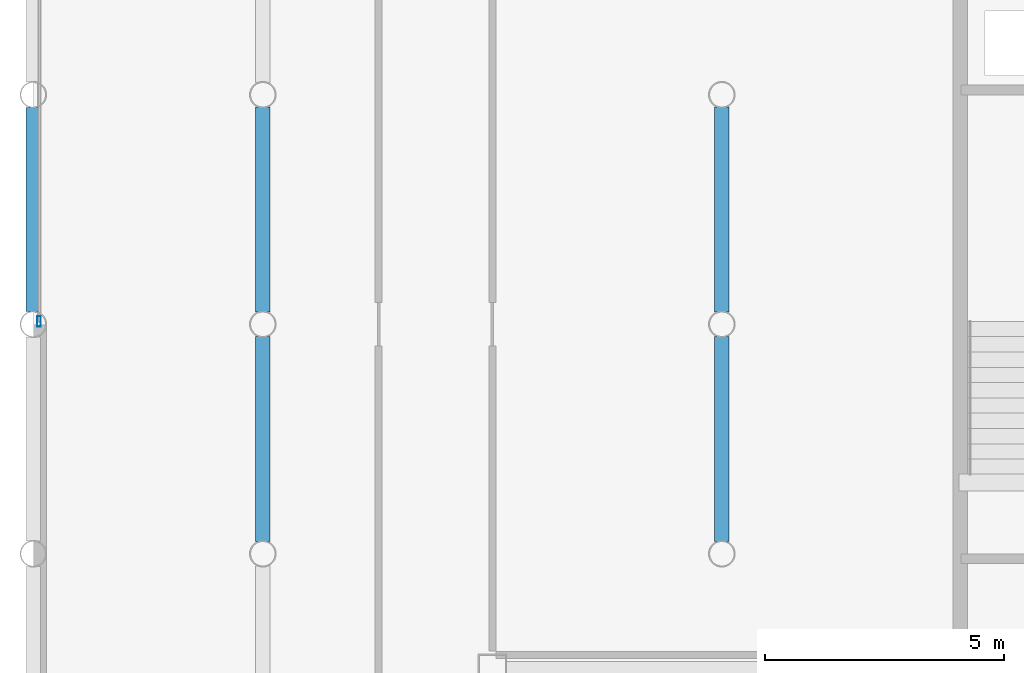
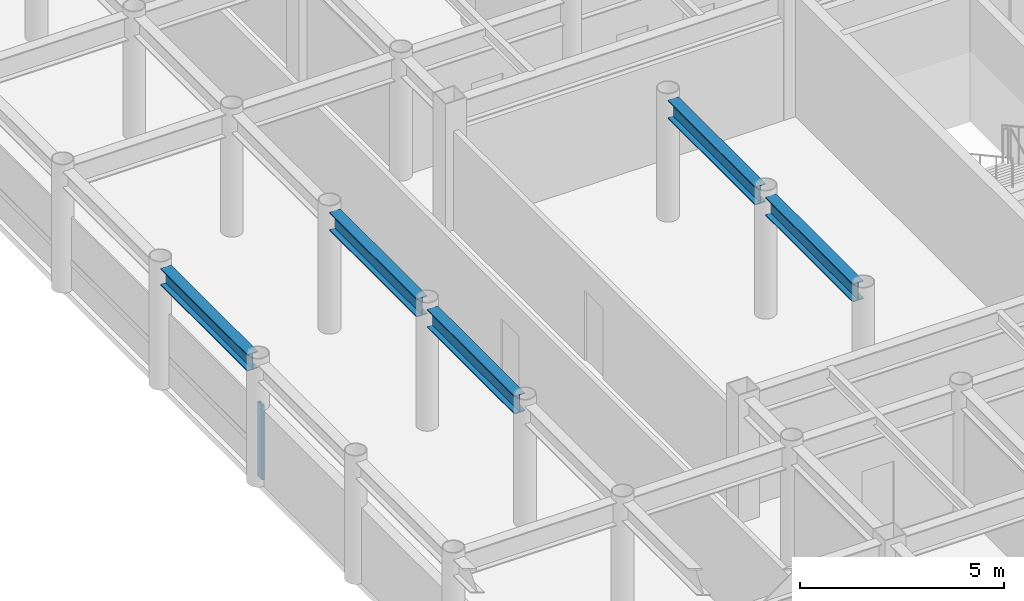
# One storey, part 6 of 22: 5 beams, 1 member, 1 element without a shape of its own.
"""IFC4 building model written with IfcOpenShell, lengths in metres."""

from ifc_helpers import new_model, si_unit, direction, frame, origin, origin_2d, place, context, subcontext, project, spatial, hollow_rectangle, i_section, extrude, material, layer, layer_set, material_profile, profile_set, type_object, element, aggregate, save


model = new_model("IFC4")

# Units and contexts
model_context = context("Model", 3, precision=1e-05, world=origin(), true_north=direction((0.0, 1.0)))
body_context = subcontext(model_context, "Body", "Model", "MODEL_VIEW")
ifc_project = project(units=[si_unit("LENGTHUNIT", "METRE"), si_unit("AREAUNIT", "SQUARE_METRE"), si_unit("VOLUMEUNIT", "CUBIC_METRE"), si_unit("PLANEANGLEUNIT", "RADIAN"), si_unit("MASSUNIT", "GRAM", prefix="KILO")], contexts=[model_context])

# Site, building, storey
site_placement = place(None, origin())
site = spatial("IfcSite", under=ifc_project, at=site_placement, CompositionType="ELEMENT")
building_placement = place(site_placement, origin())
building = spatial("IfcBuilding", under=site, at=building_placement, Name="Kallvorn Hotel Tower", CompositionType="ELEMENT")
storey_placement = place(building_placement, frame((0.0, 0.0, 256.949951171875)))
storey = spatial("IfcBuildingStorey", under=building, at=storey_placement, Name="L64", CompositionType="ELEMENT", Elevation=256.949951171875)

# Beams
ifc_material_1 = material(Name="Structural steel S355JR", Category="steel")
ifc_material_profile_1 = material_profile(ifc_material_1, i_section(OverallWidth=0.300048828125, OverallDepth=0.5, WebThickness=0.014404296875, FlangeThickness=0.028076171875, at=origin_2d()), Name="HE 500 B")
ifc_profile_set_1 = profile_set([ifc_material_profile_1], Name="Structural steel S355JR")
beam_type_1 = type_object("IfcBeamType", Name="BM_HE500B", PredefinedType="SPANDREL", material=ifc_profile_set_1)
beam_placement = place(storey_placement, frame((-33.60009765625, 0.26953125, 3.420166015625), z_axis=(0.0, 1.0, 0.0), x_axis=(-1.0, 0.0, 0.0)))
element("IfcBeam", 1, at=beam_placement, inside=storey, type_object=beam_type_1, Name="L65 Perimeter Spandrel 177", PredefinedType="SPANDREL", context=body_context, shape_type="SweptSolid", body=[
    extrude(i_section(OverallWidth=0.300048828125, OverallDepth=0.5, WebThickness=0.014404296875, FlangeThickness=0.028076171875, at=origin_2d()), origin(), (0.0, 0.0, 1.0), 4.260986328125),
])
ifc_material_2 = material(Name="Structural steel S355JR", Category="steel")
ifc_material_profile_2 = material_profile(ifc_material_2, i_section(OverallWidth=0.300048828125, OverallDepth=0.550048828125, WebThickness=0.014892578125, FlangeThickness=0.029052734375, at=origin_2d()), Name="HE 550 B")
ifc_profile_set_2 = profile_set([ifc_material_profile_2], Name="Structural steel S355JR")
beam_type_2 = type_object("IfcBeamType", Name="BM_HE550B", PredefinedType="SPANDREL", material=ifc_profile_set_2)
for number, where, z_axis, x_axis, name in (
    (2, (-28.800048828125, -4.54541015625, 3.39501953125), (0.0, 1.0, 0.0), (-1.0, 0.0, 0.0), "L65 Primary Y-Girder 76"),
    (3, (-28.800048828125, 0.25439453125, 3.39501953125), (0.0, 1.0, 0.0), (-1.0, 0.0, 0.0), "L65 Primary Y-Girder 77"),
    (4, (-19.199951171875, -4.54541015625, 3.39501953125), (0.0, 1.0, 0.0), (-1.0, 0.0, 0.0), "L65 Primary Y-Girder 92"),
    (5, (-19.199951171875, 0.25439453125, 3.39501953125), (0.0, 1.0, 0.0), (-1.0, 0.0, 0.0), "L65 Primary Y-Girder 93"),
):
    element("IfcBeam", number, at=place(storey_placement, frame(where, z_axis=z_axis, x_axis=x_axis)), inside=storey, type_object=beam_type_2, Name=name, PredefinedType="SPANDREL", context=body_context, shape_type="SweptSolid", body=[
        extrude(i_section(OverallWidth=0.300048828125, OverallDepth=0.550048828125, WebThickness=0.014892578125, FlangeThickness=0.029052734375, at=origin_2d()), origin(), (0.0, 0.0, 1.0), 4.291015625),
    ])

# Curtain wall, member
ifc_material_3 = material(Name="Thermally broken black-anodised aluminium AA 6063-T6", Category="aluminium")
ifc_layer = layer(ifc_material_3, 0.22998046875)
ifc_layer_set = layer_set([ifc_layer], Name="CW_SYS_5_HOTEL_HIGH")
curtain_wall_type = type_object("IfcCurtainWallType", Name="CW_SYS_5_HOTEL_HIGH", PredefinedType="USERDEFINED", material=ifc_layer_set)
curtain_wall_placement = place(storey_placement, origin())
curtain_wall = element("IfcCurtainWall", 6, at=curtain_wall_placement, inside=storey, type_object=curtain_wall_type, Name="L64 Dark-Glass Curtain Wall CW-L64-WN", ObjectType="UNITISED CURTAIN WALL", PredefinedType="USERDEFINED")
ifc_material_4 = material(Name="Thermally broken black-anodised aluminium AA 6063-T6", Category="aluminium")
ifc_material_profile_3 = material_profile(ifc_material_4, hollow_rectangle(XDim=0.080078125, YDim=0.219970703125, WallThickness=0.0048828125, at=origin_2d()), Name="MUL 220x80")
ifc_profile_set_3 = profile_set([ifc_material_profile_3], Name="Thermally broken black-anodised aluminium AA 6063-T6")
member_type = type_object("IfcMemberType", Name="CW_MULLION_220x80", PredefinedType="MULLION", material=ifc_profile_set_3)
member_placement = place(storey_placement, frame((-33.47998046875, 0.06005859375, 0.02001953125), z_axis=(0.0, 0.0, 1.0), x_axis=(1.0, 0.0, 0.0)))
member = element("IfcMember", 7, at=member_placement, type_object=member_type, Name="CW-L64-WN Mullion 00", PredefinedType="MULLION", context=body_context, shape_type="SweptSolid", body=[
    extrude(hollow_rectangle(XDim=0.080078125, YDim=0.219970703125, WallThickness=0.0048828125, at=origin_2d()), origin(), (0.0, 0.0, 1.0), 2.22998046875),
])
aggregate(curtain_wall, [member])

save(model, "model.ifc")
